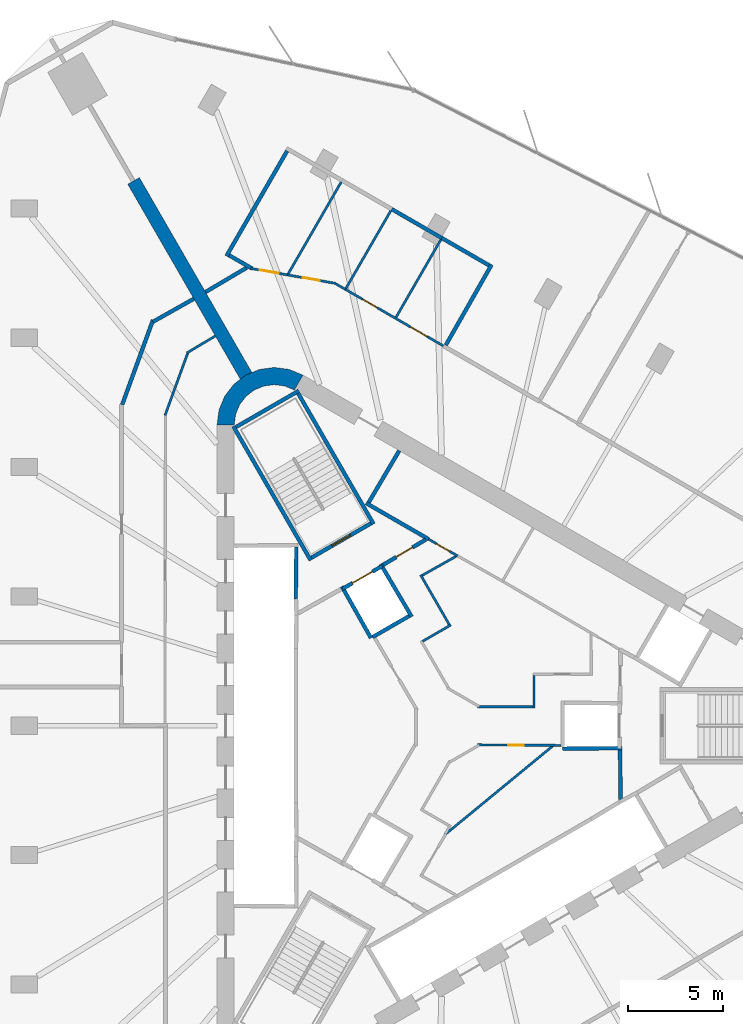
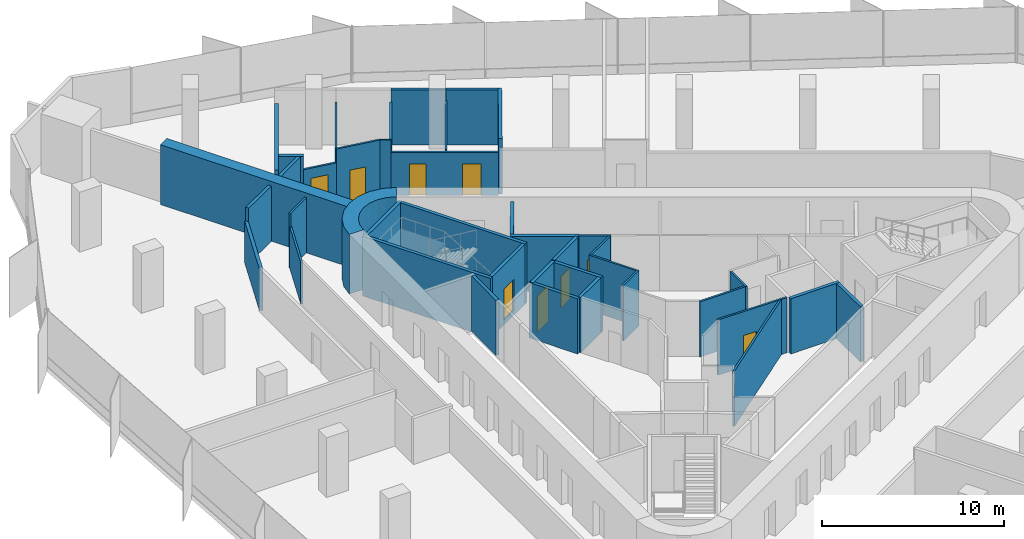
# One storey, part 10 of 14: 41 walls, 9 doors, 9 openings.
"""IFC4 building model written with IfcOpenShell, lengths in metres."""

from ifc_helpers import new_model, si_unit, direction, frame, frame_2d, origin, place, context, subcontext, project, spatial, polyline, rectangle, outline, extrude, material, layer, layer_set, type_object, element, fill, save


model = new_model("IFC4")

# Units and contexts
model_context = context("Model", 3, precision=1e-05, world=origin(), true_north=direction((0.0, 1.0)))
body_context = subcontext(model_context, "Body", "Model", "MODEL_VIEW")
ifc_project = project(units=[si_unit("LENGTHUNIT", "METRE"), si_unit("AREAUNIT", "SQUARE_METRE"), si_unit("VOLUMEUNIT", "CUBIC_METRE"), si_unit("PLANEANGLEUNIT", "RADIAN"), si_unit("MASSUNIT", "GRAM", prefix="KILO")], contexts=[model_context])

# Site, building, storey
site_placement = place(None, origin())
site = spatial("IfcSite", under=ifc_project, at=site_placement, CompositionType="ELEMENT")
building_placement = place(site_placement, origin())
building = spatial("IfcBuilding", under=site, at=building_placement, Name="Tanit Gate Tower", CompositionType="ELEMENT")
storey_placement = place(building_placement, frame((0.0, 0.0, 213.199951171875)))
storey = spatial("IfcBuildingStorey", under=building, at=storey_placement, Name="L47", CompositionType="ELEMENT", Elevation=213.199951171875)

# Walls
ifc_material_1 = material(Name="Concrete C50/60", Category="concrete")
ifc_layer_1 = layer(ifc_material_1, 0.699951171875)
ifc_layer_set_1 = layer_set([ifc_layer_1], Name="BUTTRESS FIN 700 C50/60")
wall_type_1 = type_object("IfcWallType", Name="BUTTRESS FIN 700 C50/60", PredefinedType="SHEAR", material=ifc_layer_set_1)
wall_1_placement = place(storey_placement, frame((-10.574951171875, 18.31640625, 0.0), z_axis=(0.0, 0.0, 1.0), x_axis=(-0.499999598486, 0.866025635599, 0.0)))
element("IfcWall", 1, at=wall_1_placement, inside=storey, type_object=wall_type_1, Name="BUTTRESS FIN", PredefinedType="SHEAR", context=body_context, shape_type="SweptSolid", body=[
    extrude(rectangle(XDim=11.7939453125, YDim=0.699951171875, at=frame_2d((5.89697265625, 0.0))), origin(), (0.0, 0.0, 1.0), 4.0),
])
ifc_material_2 = material(Name="Concrete C50/60", Category="concrete")
ifc_layer_2 = layer(ifc_material_2, 0.89990234375)
ifc_layer_set_2 = layer_set([ifc_layer_2], Name="CORE WALL 900 C50/60")
wall_type_2 = type_object("IfcWallType", Name="CORE WALL 900 C50/60", PredefinedType="SHEAR", material=ifc_layer_set_2)
wall_2_placement = place(storey_placement, origin())
element("IfcWall", 2, at=wall_2_placement, inside=storey, type_object=wall_type_2, Name="CORE WALL CORNER", PredefinedType="SHEAR", context=body_context, shape_type="SweptSolid", body=[
    extrude(outline(polyline([(-7.60009765625, 18.359619140625), (-8.323486328125, 18.659423828125), (-9.10009765625, 18.76171875), (-9.87646484375, 18.659423828125), (-10.60009765625, 18.359619140625), (-11.22119140625, 17.883056640625), (-11.697998046875, 17.26171875), (-11.997802734375, 16.5380859375), (-12.10009765625, 15.76171875), (-11.199951171875, 15.76171875), (-11.12841796875, 16.30517578125), (-10.918701171875, 16.811767578125), (-10.5849609375, 17.24658203125), (-10.14990234375, 17.580322265625), (-9.6435546875, 17.7900390625), (-9.10009765625, 17.86181640625), (-8.556396484375, 17.7900390625), (-8.050048828125, 17.580322265625), (-7.60009765625, 18.359619140625)])), origin(), (0.0, 0.0, 1.0), 4.0),
])
ifc_material_3 = material(Name="Fire-rated gypsum board partition")
ifc_layer_3 = layer(ifc_material_3, 0.199951171875)
ifc_layer_set_3 = layer_set([ifc_layer_3], Name="INT-WALL-COMPARTMENT")
wall_type_3 = type_object("IfcWallType", Name="INT-WALL-COMPARTMENT", PredefinedType="PARTITIONING", material=ifc_layer_set_3)
wall_3_placement = place(storey_placement, frame((-4.295654296875, 11.659912109375, 0.0), z_axis=(0.0, 0.0, 1.0), x_axis=(0.866027389382, -0.499996560828, 0.0)))
element("IfcWall", 3, at=wall_3_placement, inside=storey, type_object=wall_type_3, Name="Wall Compartment W053", PredefinedType="PARTITIONING", context=body_context, shape_type="SweptSolid", body=[
    extrude(rectangle(XDim=3.77783203125, YDim=0.199951171875, at=frame_2d((1.888916015625, 0.0))), origin(), (0.0, 0.0, 1.0), 3.699951171875),
])
wall_4_placement = place(storey_placement, frame((-2.557861328125, 14.409423828125, 0.0), z_axis=(0.0, 0.0, 1.0), x_axis=(-0.508018930956, -0.861345903683, 0.0)))
element("IfcWall", 4, at=wall_4_placement, inside=storey, type_object=wall_type_3, Name="Wall Compartment W054", PredefinedType="PARTITIONING", context=body_context, shape_type="SweptSolid", body=[
    extrude(rectangle(XDim=3.150146484375, YDim=0.199951171875, at=frame_2d((1.5751953125, 0.0))), origin(), (0.0, 0.0, 1.0), 3.699951171875),
])
wall_5_placement = place(storey_placement, frame((9.02880859375, -3.8505859375, 0.0), z_axis=(0.0, 0.0, 1.0), x_axis=(-0.010784614026, 0.999941844359, 0.0)))
element("IfcWall", 5, at=wall_5_placement, inside=storey, type_object=wall_type_3, Name="Wall Compartment W059", PredefinedType="PARTITIONING", context=body_context, shape_type="SweptSolid", body=[
    extrude(rectangle(XDim=2.580810546875, YDim=0.199951171875, at=frame_2d((1.29052734375, 0.0))), origin(), (0.0, 0.0, 1.0), 3.699951171875),
])

# Wall, opening, door
wall_6_placement = place(storey_placement, frame((-1.1787109375, 9.744873046875, 0.0), z_axis=(0.0, 0.0, 1.0), x_axis=(-0.860630814782, -0.509229418482, 0.0)))
wall_6 = element("IfcWall", 6, at=wall_6_placement, inside=storey, type_object=wall_type_3, Name="Wall Compartment W062", PredefinedType="PARTITIONING", context=body_context, shape_type="SweptSolid", body=[
    extrude(rectangle(XDim=2.581787109375, YDim=0.199951171875, at=frame_2d((1.291015625, 0.0))), origin(), (0.0, 0.0, 1.0), 3.699951171875),
])
opening_1_placement = place(wall_6_placement, frame((0.791015625, 0.0, 0.0)))
opening_1 = element("IfcOpeningElement", 7, at=opening_1_placement, cuts=wall_6, Name="Opening F10-S12-05", PredefinedType="OPENING", context=body_context, shape_type="SweptSolid", body=[
    extrude(rectangle(XDim=1.0, YDim=2.10009765625, at=frame_2d((0.5, 1.050048828125))), frame((0.0, 0.10986328125, 0.0), z_axis=(0.0, -1.0, 0.0), x_axis=(1.0, 0.0, 0.0)), (0.0, 0.0, 1.0), 0.219970703125),
])
ifc_material_4 = material(Name="Fire-rated steel door leaf", Category="steel")
door_type_1 = type_object("IfcDoorType", Name="INT-DOOR-FIRE-1000", OperationType="NOTDEFINED", PredefinedType="USERDEFINED", material=ifc_material_4)
door_1_placement = place(opening_1_placement, origin())
door_1 = element("IfcDoor", 8, at=door_1_placement, inside=storey, type_object=door_type_1, Name="Door F10-S12-05", ObjectType="FIRE DOOR", OperationType="SINGLE_SWING_RIGHT", OverallHeight=2.10009765625, OverallWidth=1.0, PredefinedType="USERDEFINED", context=body_context, shape_type="SweptSolid", body=[
    extrude(rectangle(XDim=1.0, YDim=2.10009765625, at=frame_2d((0.5, 1.050048828125))), frame((0.0, 0.02490234375, 0.0), z_axis=(0.0, -1.0, 0.0), x_axis=(1.0, 0.0, 0.0)), (0.0, 0.0, 1.0), 0.050048828125),
])
fill(opening_1, door_1)

# Walls
wall_7_placement = place(storey_placement, frame((-15.456298828125, 21.238525390625, 0.0), z_axis=(0.0, 0.0, 1.0), x_axis=(-0.34205546997, -0.939679762187, 0.0)))
element("IfcWall", 9, at=wall_7_placement, inside=storey, type_object=wall_type_3, Name="Wall Compartment W093", PredefinedType="PARTITIONING", context=body_context, shape_type="SweptSolid", body=[
    extrude(rectangle(XDim=4.705810546875, YDim=0.199951171875, at=frame_2d((2.35302734375, 0.0))), origin(), (0.0, 0.0, 1.0), 2.780029296875),
])
wall_8_placement = place(storey_placement, frame((-13.31298828125, 22.35888671875, 0.0), z_axis=(0.0, 0.0, 1.0), x_axis=(-0.87121710687, -0.490897904555, 0.0)))
element("IfcWall", 10, at=wall_8_placement, inside=storey, type_object=wall_type_3, Name="Wall Compartment W094", PredefinedType="PARTITIONING", context=body_context, shape_type="SweptSolid", body=[
    extrude(rectangle(XDim=2.457275390625, YDim=0.199951171875, at=frame_2d((1.228515625, 0.0))), origin(), (0.0, 0.0, 1.0), 3.699951171875),
])
wall_9_placement = place(storey_placement, frame((-10.5498046875, 23.984619140625, 0.0), z_axis=(0.0, 0.0, 1.0), x_axis=(-0.860742216303, -0.509041095663, 0.0)))
element("IfcWall", 11, at=wall_9_placement, inside=storey, type_object=wall_type_3, Name="Wall Compartment W102", PredefinedType="PARTITIONING", context=body_context, shape_type="SweptSolid", body=[
    extrude(rectangle(XDim=2.505859375, YDim=0.199951171875, at=frame_2d((1.2529296875, 0.0))), origin(), (0.0, 0.0, 1.0), 3.699951171875),
])
wall_10_placement = place(storey_placement, frame((2.277587890625, 24.146240234375, 0.0), z_axis=(0.0, 0.0, 1.0), x_axis=(-0.494609479201, -0.869115333592, 0.0)))
element("IfcWall", 12, at=wall_10_placement, inside=storey, type_object=wall_type_3, Name="Wall Compartment W129", PredefinedType="PARTITIONING", context=body_context, shape_type="SweptSolid", body=[
    extrude(rectangle(XDim=4.85009765625, YDim=0.199951171875, at=frame_2d((2.425048828125, 0.0))), origin(), (0.0, 0.0, 1.0), 3.699951171875),
])
wall_11_placement = place(storey_placement, frame((-2.954833984375, 27.0517578125, 0.0), z_axis=(0.0, 0.0, 1.0), x_axis=(0.865996229516, -0.50005052791, 0.0)))
element("IfcWall", 13, at=wall_11_placement, inside=storey, type_object=wall_type_3, Name="Wall Compartment W131", PredefinedType="PARTITIONING", context=body_context, shape_type="SweptSolid", body=[
    extrude(rectangle(XDim=3.027587890625, YDim=0.199951171875, at=frame_2d((1.513671875, 0.0))), origin(), (0.0, 0.0, 1.0), 3.699951171875),
])
wall_12_placement = place(storey_placement, frame((-0.3330078125, 25.537841796875, 0.0), z_axis=(0.0, 0.0, 1.0), x_axis=(0.866063225885, -0.499934484477, 0.0)))
element("IfcWall", 14, at=wall_12_placement, inside=storey, type_object=wall_type_3, Name="Wall Compartment W130", PredefinedType="PARTITIONING", context=body_context, shape_type="SweptSolid", body=[
    extrude(rectangle(XDim=2.857421875, YDim=0.199951171875, at=frame_2d((1.4287109375, 0.0))), origin(), (0.0, 0.0, 1.0), 3.699951171875),
])
wall_13_placement = place(storey_placement, frame((-8.4306640625, 30.09765625, 0.0), z_axis=(0.0, 0.0, 1.0), x_axis=(-0.500005339912, -0.866022320763, 0.0)))
element("IfcWall", 15, at=wall_13_placement, inside=storey, type_object=wall_type_3, Name="Wall Compartment W134", PredefinedType="PARTITIONING", context=body_context, shape_type="SweptSolid", body=[
    extrude(rectangle(XDim=6.35009765625, YDim=0.199951171875, at=frame_2d((3.175048828125, 0.0))), origin(), (0.0, 0.0, 1.0), 2.780029296875),
])
wall_14_placement = place(storey_placement, frame((-11.468994140625, 24.635009765625, 0.0), z_axis=(0.0, 0.0, 1.0), x_axis=(0.866030639775, -0.499990930889, 0.0)))
element("IfcWall", 16, at=wall_14_placement, inside=storey, type_object=wall_type_3, Name="Wall Compartment W135", PredefinedType="PARTITIONING", context=body_context, shape_type="SweptSolid", body=[
    extrude(rectangle(XDim=1.390625, YDim=0.199951171875, at=frame_2d((0.6953125, 0.0))), origin(), (0.0, 0.0, 1.0), 3.699951171875),
])

# Wall, opening, door
ifc_material_5 = material(Name="Gypsum board partition")
ifc_layer_4 = layer(ifc_material_5, 0.1201171875)
ifc_layer_set_4 = layer_set([ifc_layer_4], Name="INT-WALL-PARTITION")
wall_type_4 = type_object("IfcWallType", Name="INT-WALL-PARTITION", PredefinedType="PARTITIONING", material=ifc_layer_set_4)
wall_15_placement = place(storey_placement, frame((-1.02392578125, 9.77099609375, 0.0), z_axis=(0.0, 0.0, 1.0), x_axis=(0.866039397417, -0.499975761534, 0.0)))
wall_15 = element("IfcWall", 17, at=wall_15_placement, inside=storey, type_object=wall_type_4, Name="Wall Partition W056", PredefinedType="PARTITIONING", context=body_context, shape_type="SweptSolid", body=[
    extrude(rectangle(XDim=1.751953125, YDim=0.1201171875, at=frame_2d((0.8759765625, 0.0))), origin(), (0.0, 0.0, 1.0), 3.699951171875),
])
opening_2_placement = place(wall_15_placement, frame((0.4658203125, 0.0, 0.0)))
opening_2 = element("IfcOpeningElement", 18, at=opening_2_placement, cuts=wall_15, Name="Opening R08-S12-15", PredefinedType="OPENING", context=body_context, shape_type="SweptSolid", body=[
    extrude(rectangle(XDim=0.800048828125, YDim=2.10009765625, at=frame_2d((0.39990234375, 1.050048828125))), frame((0.0, 0.070068359375, 0.0), z_axis=(0.0, -1.0, 0.0), x_axis=(1.0, 0.0, 0.0)), (0.0, 0.0, 1.0), 0.14013671875),
])
ifc_material_6 = material(Name="Timber door leaf", Category="wood")
door_type_2 = type_object("IfcDoorType", Name="INT-DOOR-RISER-800", OperationType="NOTDEFINED", PredefinedType="USERDEFINED", material=ifc_material_6)
door_2_placement = place(opening_2_placement, origin())
door_2 = element("IfcDoor", 19, at=door_2_placement, inside=storey, type_object=door_type_2, Name="Door R08-S12-15", ObjectType="FIRE DOOR", OperationType="SINGLE_SWING_LEFT", OverallHeight=2.10009765625, OverallWidth=0.800048828125, PredefinedType="USERDEFINED", context=body_context, shape_type="SweptSolid", body=[
    extrude(rectangle(XDim=0.800048828125, YDim=2.10009765625, at=frame_2d((0.39990234375, 1.050048828125))), frame((0.0, 0.02490234375, 0.0), z_axis=(0.0, -1.0, 0.0), x_axis=(1.0, 0.0, 0.0)), (0.0, 0.0, 1.0), 0.050048828125),
])
fill(opening_2, door_2)

# Wall
wall_16_placement = place(storey_placement, frame((5.5478515625, -1.0, 0.0), z_axis=(0.0, 0.0, 1.0), x_axis=(-0.772345431507, -0.635202750648, 0.0)))
element("IfcWall", 20, at=wall_16_placement, inside=storey, type_object=wall_type_4, Name="Wall Partition W068", PredefinedType="PARTITIONING", context=body_context, shape_type="SweptSolid", body=[
    extrude(rectangle(XDim=7.41455078125, YDim=0.1201171875, at=frame_2d((3.707275390625, 0.0))), origin(), (0.0, 0.0, 1.0), 3.699951171875),
])

# Wall, opening, door
wall_17_placement = place(storey_placement, frame((5.89990234375, -1.02880859375, 0.0), z_axis=(0.0, 0.0, 1.0), x_axis=(-0.999977012451, 0.006780454946, 0.0)))
wall_17 = element("IfcWall", 21, at=wall_17_placement, inside=storey, type_object=wall_type_4, Name="Wall Partition W071", PredefinedType="PARTITIONING", context=body_context, shape_type="SweptSolid", body=[
    extrude(rectangle(XDim=4.356689453125, YDim=0.1201171875, at=frame_2d((2.17822265625, 0.0))), origin(), (0.0, 0.0, 1.0), 3.699951171875),
])
opening_3_placement = place(wall_17_placement, frame((1.9541015625, 0.0, 0.0)))
opening_3 = element("IfcOpeningElement", 22, at=opening_3_placement, cuts=wall_17, Name="Opening R08-S12-12", PredefinedType="OPENING", context=body_context, shape_type="SweptSolid", body=[
    extrude(rectangle(XDim=0.800048828125, YDim=2.10009765625, at=frame_2d((0.39990234375, 1.050048828125))), frame((0.0, 0.070068359375, 0.0), z_axis=(0.0, -1.0, 0.0), x_axis=(1.0, 0.0, 0.0)), (0.0, 0.0, 1.0), 0.14013671875),
])
door_3_placement = place(opening_3_placement, origin())
door_3 = element("IfcDoor", 23, at=door_3_placement, inside=storey, type_object=door_type_2, Name="Door R08-S12-12", ObjectType="FIRE DOOR", OperationType="SINGLE_SWING_RIGHT", OverallHeight=2.10009765625, OverallWidth=0.800048828125, PredefinedType="USERDEFINED", context=body_context, shape_type="SweptSolid", body=[
    extrude(rectangle(XDim=0.800048828125, YDim=2.10009765625, at=frame_2d((0.39990234375, 1.050048828125))), frame((0.0, 0.02490234375, 0.0), z_axis=(0.0, -1.0, 0.0), x_axis=(1.0, 0.0, 0.0)), (0.0, 0.0, 1.0), 0.050048828125),
])
fill(opening_3, door_3)

# Walls
wall_18_placement = place(storey_placement, frame((4.5, 0.93994140625, 0.0), z_axis=(0.0, 0.0, 1.0), x_axis=(0.0, 1.0, 0.0)))
element("IfcWall", 24, at=wall_18_placement, inside=storey, type_object=wall_type_4, Name="Wall Partition W079", PredefinedType="PARTITIONING", context=body_context, shape_type="SweptSolid", body=[
    extrude(rectangle(XDim=1.699951171875, YDim=0.1201171875, at=frame_2d((0.85009765625, 0.0))), origin(), (0.0, 0.0, 1.0), 3.699951171875),
])
wall_19_placement = place(storey_placement, frame((1.54150390625, 1.0, 0.0), z_axis=(0.0, 0.0, 1.0), x_axis=(1.0, 0.0, 0.0)))
element("IfcWall", 25, at=wall_19_placement, inside=storey, type_object=wall_type_4, Name="Wall Partition W080", PredefinedType="PARTITIONING", context=body_context, shape_type="SweptSolid", body=[
    extrude(rectangle(XDim=2.8984375, YDim=0.1201171875, at=frame_2d((1.44921875, 0.0))), origin(), (0.0, 0.0, 1.0), 3.699951171875),
])
wall_20_placement = place(storey_placement, frame((0.14013671875, 5.277099609375, 0.0), z_axis=(0.0, 0.0, 1.0), x_axis=(-0.865989465428, -0.500062241894, 0.0)))
element("IfcWall", 26, at=wall_20_placement, inside=storey, type_object=wall_type_4, Name="Wall Partition W083", PredefinedType="PARTITIONING", context=body_context, shape_type="SweptSolid", body=[
    extrude(rectangle(XDim=1.699951171875, YDim=0.1201171875, at=frame_2d((0.85009765625, 0.0))), origin(), (0.0, 0.0, 1.0), 3.699951171875),
])
wall_21_placement = place(storey_placement, frame((-1.441650390625, 7.897216796875, 0.0), z_axis=(0.0, 0.0, 1.0), x_axis=(0.499990139034, -0.866031096941, 0.0)))
element("IfcWall", 27, at=wall_21_placement, inside=storey, type_object=wall_type_4, Name="Wall Partition W084", PredefinedType="PARTITIONING", context=body_context, shape_type="SweptSolid", body=[
    extrude(rectangle(XDim=3.0, YDim=0.1201171875, at=frame_2d((1.5, 0.0))), origin(), (0.0, 0.0, 1.0), 3.699951171875),
])
wall_22_placement = place(storey_placement, frame((0.414306640625, 8.87109375, 0.0), z_axis=(0.0, 0.0, 1.0), x_axis=(-0.871809386997, -0.48984527429, 0.0)))
element("IfcWall", 28, at=wall_22_placement, inside=storey, type_object=wall_type_4, Name="Wall Partition W085", PredefinedType="PARTITIONING", context=body_context, shape_type="SweptSolid", body=[
    extrude(rectangle(XDim=2.034423828125, YDim=0.1201171875, at=frame_2d((1.01708984375, 0.0))), origin(), (0.0, 0.0, 1.0), 3.699951171875),
])
wall_23_placement = place(storey_placement, frame((-12.188720703125, 20.411376953125, 0.0), z_axis=(0.0, 0.0, 1.0), x_axis=(-0.858492721014, -0.51282574815, 0.0)))
element("IfcWall", 29, at=wall_23_placement, inside=storey, type_object=wall_type_4, Name="Wall Partition W086", PredefinedType="PARTITIONING", context=body_context, shape_type="SweptSolid", body=[
    extrude(rectangle(XDim=1.742431640625, YDim=0.1201171875, at=frame_2d((0.87109375, 0.0))), origin(), (0.0, 0.0, 1.0), 3.699951171875),
])
wall_24_placement = place(storey_placement, frame((-13.630615234375, 19.529541015625, 0.0), z_axis=(0.0, 0.0, 1.0), x_axis=(-0.342069878069, -0.939674517329, 0.0)))
element("IfcWall", 30, at=wall_24_placement, inside=storey, type_object=wall_type_4, Name="Wall Partition W087", PredefinedType="PARTITIONING", context=body_context, shape_type="SweptSolid", body=[
    extrude(rectangle(XDim=3.478759765625, YDim=0.1201171875, at=frame_2d((1.7392578125, 0.0))), origin(), (0.0, 0.0, 1.0), 2.780029296875),
])

# Wall, openings, doors
wall_25_placement = place(storey_placement, frame((-0.257568359375, 19.89404296875, 0.0), z_axis=(0.0, 0.0, 1.0), x_axis=(-0.866014429462, 0.500019007602, 0.0)))
wall_25 = element("IfcWall", 31, at=wall_25_placement, inside=storey, type_object=wall_type_4, Name="Wall Partition W104", PredefinedType="PARTITIONING", context=body_context, shape_type="SweptSolid", body=[
    extrude(rectangle(XDim=5.914794921875, YDim=0.1201171875, at=frame_2d((2.95751953125, 0.0))), origin(), (0.0, 0.0, 1.0), 2.880126953125),
])
opening_4_placement = place(wall_25_placement, frame((0.9736328125, 0.0, 0.0)))
opening_4 = element("IfcOpeningElement", 32, at=opening_4_placement, cuts=wall_25, Name="Opening D10-S12-21", PredefinedType="OPENING", context=body_context, shape_type="SweptSolid", body=[
    extrude(rectangle(XDim=1.0, YDim=2.10009765625, at=frame_2d((0.5, 1.050048828125))), frame((0.0, 0.070068359375, 0.0), z_axis=(0.0, -1.0, 0.0), x_axis=(1.0, 0.0, 0.0)), (0.0, 0.0, 1.0), 0.14013671875),
])
opening_5_placement = place(wall_25_placement, frame((3.98095703125, 0.0, 0.0)))
opening_5 = element("IfcOpeningElement", 33, at=opening_5_placement, cuts=wall_25, Name="Opening D09-S12-22", PredefinedType="OPENING", context=body_context, shape_type="SweptSolid", body=[
    extrude(rectangle(XDim=0.89990234375, YDim=2.10009765625, at=frame_2d((0.449951171875, 1.050048828125))), frame((0.0, 0.070068359375, 0.0), z_axis=(0.0, -1.0, 0.0), x_axis=(1.0, 0.0, 0.0)), (0.0, 0.0, 1.0), 0.14013671875),
])
ifc_material_7 = material(Name="Timber door leaf", Category="wood")
door_type_3 = type_object("IfcDoorType", Name="INT-DOOR-SINGLE-1000", OperationType="NOTDEFINED", PredefinedType="NOTDEFINED", material=ifc_material_7)
door_4_placement = place(opening_4_placement, origin())
door_4 = element("IfcDoor", 34, at=door_4_placement, inside=storey, type_object=door_type_3, Name="Door D10-S12-21", OperationType="SINGLE_SWING_LEFT", OverallHeight=2.10009765625, OverallWidth=1.0, PredefinedType="NOTDEFINED", context=body_context, shape_type="SweptSolid", body=[
    extrude(rectangle(XDim=1.0, YDim=2.10009765625, at=frame_2d((0.5, 1.050048828125))), frame((0.0, 0.02490234375, 0.0), z_axis=(0.0, -1.0, 0.0), x_axis=(1.0, 0.0, 0.0)), (0.0, 0.0, 1.0), 0.050048828125),
])
fill(opening_4, door_4)
ifc_material_8 = material(Name="Timber door leaf", Category="wood")
door_type_4 = type_object("IfcDoorType", Name="INT-DOOR-SINGLE-900", OperationType="NOTDEFINED", PredefinedType="NOTDEFINED", material=ifc_material_8)
door_5_placement = place(opening_5_placement, origin())
door_5 = element("IfcDoor", 35, at=door_5_placement, inside=storey, type_object=door_type_4, Name="Door D09-S12-22", OperationType="SINGLE_SWING_LEFT", OverallHeight=2.10009765625, OverallWidth=0.89990234375, PredefinedType="NOTDEFINED", context=body_context, shape_type="SweptSolid", body=[
    extrude(rectangle(XDim=0.89990234375, YDim=2.10009765625, at=frame_2d((0.449951171875, 1.050048828125))), frame((0.0, 0.02490234375, 0.0), z_axis=(0.0, -1.0, 0.0), x_axis=(1.0, 0.0, 0.0)), (0.0, 0.0, 1.0), 0.050048828125),
])
fill(opening_5, door_5)

# Wall
wall_26_placement = place(storey_placement, frame((-5.3798828125, 22.8515625, 0.0), z_axis=(0.0, 0.0, 1.0), x_axis=(-0.866129309467, 0.499819986878, 0.0)))
element("IfcWall", 36, at=wall_26_placement, inside=storey, type_object=wall_type_4, Name="Wall Partition W107", PredefinedType="PARTITIONING", context=body_context, shape_type="SweptSolid", body=[
    extrude(rectangle(XDim=0.577880859375, YDim=0.1201171875, at=frame_2d((0.2890625, 0.0))), origin(), (0.0, 0.0, 1.0), 3.699951171875),
])

# Wall, opening, door
wall_27_placement = place(storey_placement, frame((-5.873046875, 23.159912109375, 0.0), z_axis=(0.0, 0.0, 1.0), x_axis=(-0.984810190637, 0.173634352644, 0.0)))
wall_27 = element("IfcWall", 37, at=wall_27_placement, inside=storey, type_object=wall_type_4, Name="Wall Partition W106", PredefinedType="PARTITIONING", context=body_context, shape_type="SweptSolid", body=[
    extrude(rectangle(XDim=2.5830078125, YDim=0.1201171875, at=frame_2d((1.29150390625, 0.0))), origin(), (0.0, 0.0, 1.0), 3.699951171875),
])
opening_6_placement = place(wall_27_placement, frame((0.87158203125, 0.0, 0.0)))
opening_6 = element("IfcOpeningElement", 38, at=opening_6_placement, cuts=wall_27, Name="Opening D09-S12-23", PredefinedType="OPENING", context=body_context, shape_type="SweptSolid", body=[
    extrude(rectangle(XDim=0.89990234375, YDim=2.10009765625, at=frame_2d((0.449951171875, 1.050048828125))), frame((0.0, 0.070068359375, 0.0), z_axis=(0.0, -1.0, 0.0), x_axis=(1.0, 0.0, 0.0)), (0.0, 0.0, 1.0), 0.14013671875),
])
door_6_placement = place(opening_6_placement, origin())
door_6 = element("IfcDoor", 39, at=door_6_placement, inside=storey, type_object=door_type_4, Name="Door D09-S12-23", OperationType="SINGLE_SWING_RIGHT", OverallHeight=2.10009765625, OverallWidth=0.89990234375, PredefinedType="NOTDEFINED", context=body_context, shape_type="SweptSolid", body=[
    extrude(rectangle(XDim=0.89990234375, YDim=2.10009765625, at=frame_2d((0.449951171875, 1.050048828125))), frame((0.0, 0.02490234375, 0.0), z_axis=(0.0, -1.0, 0.0), x_axis=(1.0, 0.0, 0.0)), (0.0, 0.0, 1.0), 0.050048828125),
])
fill(opening_6, door_6)

wall_28_placement = place(storey_placement, frame((-8.416748046875, 23.6083984375, 0.0), z_axis=(0.0, 0.0, 1.0), x_axis=(-0.984793637517, 0.173728211601, 0.0)))
wall_28 = element("IfcWall", 40, at=wall_28_placement, inside=storey, type_object=wall_type_4, Name="Wall Partition W108", PredefinedType="PARTITIONING", context=body_context, shape_type="SweptSolid", body=[
    extrude(rectangle(XDim=1.950439453125, YDim=0.1201171875, at=frame_2d((0.97509765625, 0.0))), origin(), (0.0, 0.0, 1.0), 2.780029296875),
])
opening_7_placement = place(wall_28_placement, frame((0.47509765625, 0.0, 0.0)))
opening_7 = element("IfcOpeningElement", 41, at=opening_7_placement, cuts=wall_28, Name="Opening D10-S12-24", PredefinedType="OPENING", context=body_context, shape_type="SweptSolid", body=[
    extrude(rectangle(XDim=1.0, YDim=2.10009765625, at=frame_2d((0.5, 1.050048828125))), frame((0.0, 0.070068359375, 0.0), z_axis=(0.0, -1.0, 0.0), x_axis=(1.0, 0.0, 0.0)), (0.0, 0.0, 1.0), 0.14013671875),
])
door_7_placement = place(opening_7_placement, origin())
door_7 = element("IfcDoor", 42, at=door_7_placement, inside=storey, type_object=door_type_3, Name="Door D10-S12-24", OperationType="SINGLE_SWING_RIGHT", OverallHeight=2.10009765625, OverallWidth=1.0, PredefinedType="NOTDEFINED", context=body_context, shape_type="SweptSolid", body=[
    extrude(rectangle(XDim=1.0, YDim=2.10009765625, at=frame_2d((0.5, 1.050048828125))), frame((0.0, 0.02490234375, 0.0), z_axis=(0.0, -1.0, 0.0), x_axis=(1.0, 0.0, 0.0)), (0.0, 0.0, 1.0), 0.050048828125),
])
fill(opening_7, door_7)

# Walls
wall_29_placement = place(storey_placement, frame((-2.727783203125, 21.3896484375, 0.0), z_axis=(0.0, 0.0, 1.0), x_axis=(0.500007844523, 0.866020874699, 0.0)))
element("IfcWall", 43, at=wall_29_placement, inside=storey, type_object=wall_type_4, Name="Wall Partition W145", PredefinedType="PARTITIONING", context=body_context, shape_type="SweptSolid", body=[
    extrude(rectangle(XDim=4.68994140625, YDim=0.1201171875, at=frame_2d((2.344970703125, 0.0))), origin(), (0.0, 0.0, 1.0), 2.97998046875),
])
wall_30_placement = place(storey_placement, frame((-5.349853515625, 22.9033203125, 0.0), z_axis=(0.0, 0.0, 1.0), x_axis=(0.499985303776, 0.866033888487, 0.0)))
element("IfcWall", 44, at=wall_30_placement, inside=storey, type_object=wall_type_4, Name="Wall Partition W146", PredefinedType="PARTITIONING", context=body_context, shape_type="SweptSolid", body=[
    extrude(rectangle(XDim=4.690185546875, YDim=0.1201171875, at=frame_2d((2.34521484375, 0.0))), origin(), (0.0, 0.0, 1.0), 2.880126953125),
])
wall_31_placement = place(storey_placement, frame((-8.375244140625, 23.662109375, 0.0), z_axis=(0.0, 0.0, 1.0), x_axis=(0.500031131263, 0.866007429395, 0.0)))
element("IfcWall", 45, at=wall_31_placement, inside=storey, type_object=wall_type_4, Name="Wall Partition W147", PredefinedType="PARTITIONING", context=body_context, shape_type="SweptSolid", body=[
    extrude(rectangle(XDim=5.545654296875, YDim=0.1201171875, at=frame_2d((2.77294921875, 0.0))), origin(), (0.0, 0.0, 1.0), 2.880126953125),
])
ifc_material_9 = material(Name="Gypsum shaft wall system")
ifc_layer_5 = layer(ifc_material_9, 0.199951171875)
ifc_layer_set_5 = layer_set([ifc_layer_5], Name="INT-WALL-SHAFT")
wall_type_5 = type_object("IfcWallType", Name="INT-WALL-SHAFT", PredefinedType="PLUMBINGWALL", material=ifc_layer_set_5)
wall_32_placement = place(storey_placement, frame((-7.951171875, 9.35009765625, 0.0), z_axis=(0.0, 0.0, 1.0), x_axis=(-0.011120469654, -0.999938165666, 0.0)))
element("IfcWall", 46, at=wall_32_placement, inside=storey, type_object=wall_type_5, Name="Wall Shaft W002", PredefinedType="PLUMBINGWALL", context=body_context, shape_type="SweptSolid", body=[
    extrude(rectangle(XDim=2.700439453125, YDim=0.199951171875, at=frame_2d((1.35009765625, 0.0))), origin(), (0.0, 0.0, 1.0), 3.699951171875),
])
wall_33_placement = place(storey_placement, frame((9.10009765625, -1.1689453125, 0.0), z_axis=(0.0, 0.0, 1.0), x_axis=(-0.999949988, -0.010001074852, 0.0)))
element("IfcWall", 47, at=wall_33_placement, inside=storey, type_object=wall_type_5, Name="Wall Shaft W030", PredefinedType="PLUMBINGWALL", context=body_context, shape_type="SweptSolid", body=[
    extrude(rectangle(XDim=3.100341796875, YDim=0.199951171875, at=frame_2d((1.55029296875, 0.0))), origin(), (0.0, 0.0, 1.0), 3.699951171875),
])

# Wall, opening, door
wall_34_placement = place(storey_placement, frame((-5.524169921875, 7.168212890625, 0.0), z_axis=(0.0, 0.0, 1.0), x_axis=(0.866024647952, 0.500001309137, 0.0)))
wall_34 = element("IfcWall", 48, at=wall_34_placement, inside=storey, type_object=wall_type_5, Name="Wall Shaft W037", PredefinedType="PLUMBINGWALL", context=body_context, shape_type="SweptSolid", body=[
    extrude(rectangle(XDim=2.39990234375, YDim=0.199951171875, at=frame_2d((1.199951171875, 0.0))), origin(), (0.0, 0.0, 1.0), 3.699951171875),
])
opening_8_placement = place(wall_34_placement, frame((0.60009765625, 0.0, 0.0)))
opening_8 = element("IfcOpeningElement", 49, at=opening_8_placement, cuts=wall_34, Name="Opening LDFL2-L47", PredefinedType="OPENING", context=body_context, shape_type="SweptSolid", body=[
    extrude(rectangle(XDim=1.199951171875, YDim=2.39990234375, at=frame_2d((0.60009765625, 1.199951171875))), frame((0.0, 0.10986328125, 0.0), z_axis=(0.0, -1.0, 0.0), x_axis=(1.0, 0.0, 0.0)), (0.0, 0.0, 1.0), 0.219970703125),
])
ifc_material_10 = material(Name="Stainless steel sliding door leaf", Category="steel")
door_type_5 = type_object("IfcDoorType", Name="INT-DOOR-LANDING-1200", OperationType="NOTDEFINED", PredefinedType="USERDEFINED", material=ifc_material_10)
door_8_placement = place(opening_8_placement, origin())
door_8 = element("IfcDoor", 50, at=door_8_placement, inside=storey, type_object=door_type_5, Name="Door LDFL2-L47", ObjectType="LANDING DOOR", OperationType="SLIDING_TO_LEFT", OverallHeight=2.39990234375, OverallWidth=1.199951171875, PredefinedType="USERDEFINED", context=body_context, shape_type="SweptSolid", body=[
    extrude(rectangle(XDim=1.199951171875, YDim=2.39990234375, at=frame_2d((0.60009765625, 1.199951171875))), frame((0.0, 0.02490234375, 0.0), z_axis=(0.0, -1.0, 0.0), x_axis=(1.0, 0.0, 0.0)), (0.0, 0.0, 1.0), 0.050048828125),
])
fill(opening_8, door_8)

# Walls
wall_35_placement = place(storey_placement, frame((-4.039306640625, 4.59619140625, 0.0), z_axis=(0.0, 0.0, 1.0), x_axis=(-0.491322718731, 0.870977603649, 0.0)))
element("IfcWall", 51, at=wall_35_placement, inside=storey, type_object=wall_type_5, Name="Wall Shaft W038", PredefinedType="PLUMBINGWALL", context=body_context, shape_type="SweptSolid", body=[
    extrude(rectangle(XDim=3.10009765625, YDim=0.199951171875, at=frame_2d((1.550048828125, 0.0))), origin(), (0.0, 0.0, 1.0), 3.699951171875),
])
wall_36_placement = place(storey_placement, frame((-3.53759765625, 8.46533203125, 0.0), z_axis=(0.0, 0.0, 1.0), x_axis=(0.508616218331, -0.860993346345, 0.0)))
element("IfcWall", 52, at=wall_36_placement, inside=storey, type_object=wall_type_5, Name="Wall Shaft W039", PredefinedType="PLUMBINGWALL", context=body_context, shape_type="SweptSolid", body=[
    extrude(rectangle(XDim=3.2001953125, YDim=0.199951171875, at=frame_2d((1.60009765625, 0.0))), origin(), (0.0, 0.0, 1.0), 3.699951171875),
])
wall_37_placement = place(storey_placement, frame((-2.04736328125, 5.74609375, 0.0), z_axis=(0.0, 0.0, 1.0), x_axis=(-0.866019606374, -0.500010041276, 0.0)))
element("IfcWall", 53, at=wall_37_placement, inside=storey, type_object=wall_type_5, Name="Wall Shaft W040", PredefinedType="PLUMBINGWALL", context=body_context, shape_type="SweptSolid", body=[
    extrude(rectangle(XDim=2.20458984375, YDim=0.199951171875, at=frame_2d((1.102294921875, 0.0))), origin(), (0.0, 0.0, 1.0), 3.699951171875),
])
ifc_material_11 = material(Name="Concrete C40/50", Category="concrete")
ifc_layer_6 = layer(ifc_material_11, 0.199951171875)
ifc_layer_set_6 = layer_set([ifc_layer_6], Name="INT-WALL-STAIR")
wall_type_6 = type_object("IfcWallType", Name="INT-WALL-STAIR", PredefinedType="SHEAR", material=ifc_layer_set_6)
wall_38_placement = place(storey_placement, frame((-11.245361328125, 15.677734375, -0.300048828125), z_axis=(0.0, 0.0, 1.0), x_axis=(0.499977274689, -0.866038523851, 0.0)))
element("IfcWall", 54, at=wall_38_placement, inside=storey, type_object=wall_type_6, Name="Wall Stair W033", PredefinedType="SHEAR", context=body_context, shape_type="SweptSolid", body=[
    extrude(rectangle(XDim=8.10009765625, YDim=0.199951171875, at=frame_2d((4.050048828125, 0.0))), origin(), (0.0, 0.0, 1.0), 4.0),
])
wall_39_placement = place(storey_placement, frame((-7.81787109375, 17.541015625, -0.300048828125), z_axis=(0.0, 0.0, 1.0), x_axis=(-0.866044365799, -0.499967155389, 0.0)))
element("IfcWall", 55, at=wall_39_placement, inside=storey, type_object=wall_type_6, Name="Wall Stair W034", PredefinedType="SHEAR", context=body_context, shape_type="SweptSolid", body=[
    extrude(rectangle(XDim=3.800048828125, YDim=0.199951171875, at=frame_2d((1.89990234375, 0.0))), origin(), (0.0, 0.0, 1.0), 4.0),
])
wall_40_placement = place(storey_placement, frame((-7.8544921875, 17.404541015625, -0.300048828125), z_axis=(0.0, 0.0, 1.0), x_axis=(0.499997992926, -0.866026562566, 0.0)))
element("IfcWall", 56, at=wall_40_placement, inside=storey, type_object=wall_type_6, Name="Wall Stair W035", PredefinedType="SHEAR", context=body_context, shape_type="SweptSolid", body=[
    extrude(rectangle(XDim=7.89990234375, YDim=0.199951171875, at=frame_2d((3.949951171875, 0.0))), origin(), (0.0, 0.0, 1.0), 4.0),
])

# Wall, opening, door
wall_41_placement = place(storey_placement, frame((-7.158935546875, 8.799560546875, -0.300048828125), z_axis=(0.0, 0.0, 1.0), x_axis=(0.866047807691, 0.499961193289, 0.0)))
wall_41 = element("IfcWall", 57, at=wall_41_placement, inside=storey, type_object=wall_type_6, Name="Wall Stair W036", PredefinedType="SHEAR", context=body_context, shape_type="SweptSolid", body=[
    extrude(rectangle(XDim=3.599853515625, YDim=0.199951171875, at=frame_2d((1.7998046875, 0.0))), origin(), (0.0, 0.0, 1.0), 4.0),
])
opening_9_placement = place(wall_41_placement, frame((1.25, 0.0, 0.300048828125)))
opening_9 = element("IfcOpeningElement", 58, at=opening_9_placement, cuts=wall_41, Name="Opening S11-S12-04", PredefinedType="OPENING", context=body_context, shape_type="SweptSolid", body=[
    extrude(rectangle(XDim=1.10009765625, YDim=2.10009765625, at=frame_2d((0.550048828125, 1.050048828125))), frame((0.0, 0.10986328125, 0.0), z_axis=(0.0, -1.0, 0.0), x_axis=(1.0, 0.0, 0.0)), (0.0, 0.0, 1.0), 0.219970703125),
])
ifc_material_12 = material(Name="Timber door leaf", Category="wood")
door_type_6 = type_object("IfcDoorType", Name="INT-DOOR-STAIR-1100", OperationType="NOTDEFINED", PredefinedType="USERDEFINED", material=ifc_material_12)
door_9_placement = place(opening_9_placement, origin())
door_9 = element("IfcDoor", 59, at=door_9_placement, inside=storey, type_object=door_type_6, Name="Door S11-S12-04", ObjectType="FIRE DOOR", OperationType="SINGLE_SWING_LEFT", OverallHeight=2.10009765625, OverallWidth=1.10009765625, PredefinedType="USERDEFINED", context=body_context, shape_type="SweptSolid", body=[
    extrude(rectangle(XDim=1.10009765625, YDim=2.10009765625, at=frame_2d((0.550048828125, 1.050048828125))), frame((0.0, 0.02490234375, 0.0), z_axis=(0.0, -1.0, 0.0), x_axis=(1.0, 0.0, 0.0)), (0.0, 0.0, 1.0), 0.050048828125),
])
fill(opening_9, door_9)

save(model, "model.ifc")
